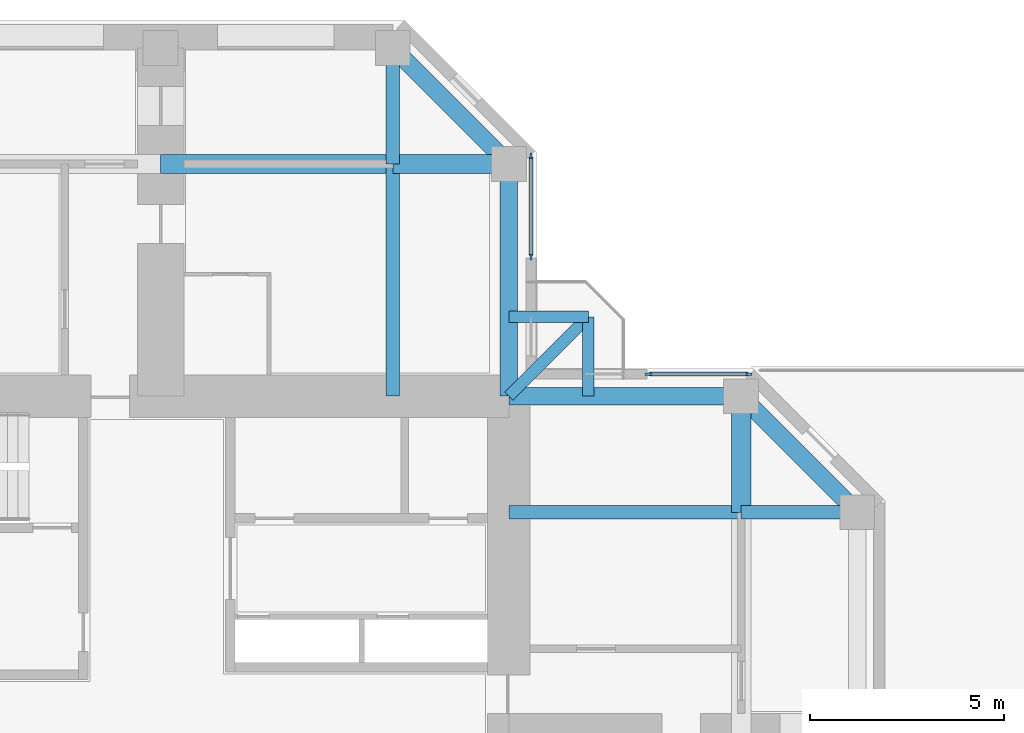
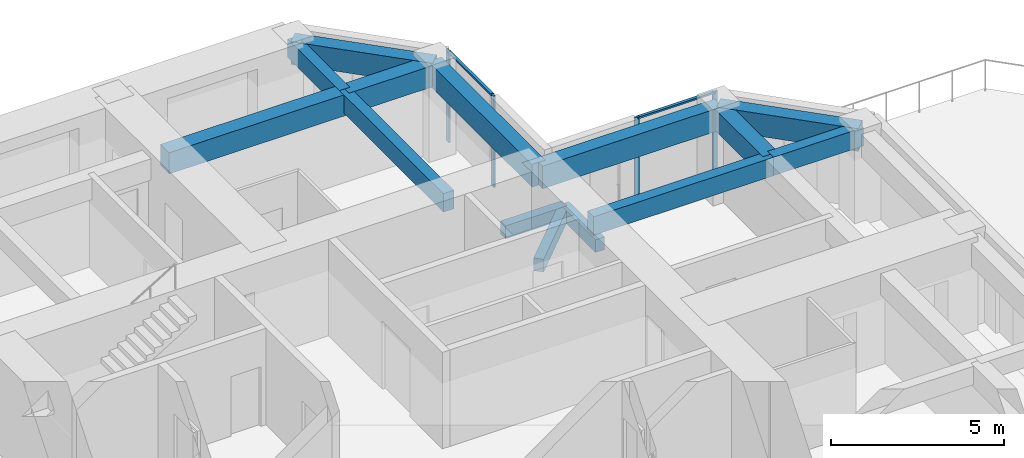
# One storey, part 6 of 14: 14 beams, 6 members, 2 elements without a shape of their own.
"""IFC4 building model written with IfcOpenShell, lengths in metres."""

from ifc_helpers import new_model, si_unit, direction, frame, origin, origin_2d, place, context, subcontext, project, spatial, rectangle, extrude, material, material_profile, profile_set, type_object, element, aggregate, save


model = new_model("IFC4")

# Units and contexts
model_context = context("Model", 3, precision=1e-05, world=origin(), true_north=direction((0.0, 1.0)))
body_context = subcontext(model_context, "Body", "Model", "MODEL_VIEW")
ifc_project = project(units=[si_unit("LENGTHUNIT", "METRE"), si_unit("AREAUNIT", "SQUARE_METRE"), si_unit("VOLUMEUNIT", "CUBIC_METRE"), si_unit("PLANEANGLEUNIT", "RADIAN"), si_unit("MASSUNIT", "GRAM", prefix="KILO")], contexts=[model_context])

# Site, building, storey
site_placement = place(None, origin())
site = spatial("IfcSite", under=ifc_project, at=site_placement, CompositionType="ELEMENT")
building_placement = place(site_placement, origin())
building = spatial("IfcBuilding", under=site, at=building_placement, Name="Torre Cruceta", CompositionType="ELEMENT")
storey_placement = place(building_placement, frame((0.0, 0.0, 169.5)))
storey = spatial("IfcBuildingStorey", under=building, at=storey_placement, Name="L41", CompositionType="ELEMENT", Elevation=169.5)

# Beams
ifc_material_1 = material(Name="Concrete G60 (fck 60 MPa)", Category="concrete")
ifc_material_profile_1 = material_profile(ifc_material_1, rectangle(XDim=0.300048828125, YDim=0.449951171875, at=origin_2d()), Name="RC 300X450")
ifc_profile_set_1 = profile_set([ifc_material_profile_1], Name="Concrete G60 (fck 60 MPa)")
beam_type_1 = type_object("IfcBeamType", Name="BALCONY CANTILEVER BEAM RC 300X450", PredefinedType="BEAM", material=ifc_profile_set_1)
beam_1_placement = place(storey_placement, frame((9.0, 9.0, -0.405029296875), z_axis=(0.707106781187, 0.707106781187, 0.0), x_axis=(-0.707106781187, 0.707106781187, 0.0)))
element("IfcBeam", 1, at=beam_1_placement, inside=storey, type_object=beam_type_1, Name="BB1 balcony beam L41 E", PredefinedType="BEAM", context=body_context, shape_type="SweptSolid", body=[
    extrude(rectangle(XDim=0.300048828125, YDim=0.449951171875, at=origin_2d()), origin(), (0.0, 0.0, 1.0), 2.89990234375),
])
for number, where, z_axis, x_axis, name in (
    (2, (11.050537109375, 9.0, -0.405029296875), (0.0, 1.0, 0.0), (-1.0, 0.0, 0.0), "BB1 balcony edge beam L41 E-X"),
    (3, (9.0, 11.050537109375, -0.405029296875), (1.0, 0.0, 0.0), (0.0, 1.0, 0.0), "BB1 balcony edge beam L41 E-Y"),
):
    element("IfcBeam", number, at=place(storey_placement, frame(where, z_axis=z_axis, x_axis=x_axis)), inside=storey, type_object=beam_type_1, Name=name, PredefinedType="BEAM", context=body_context, shape_type="SweptSolid", body=[
        extrude(rectangle(XDim=0.300048828125, YDim=0.449951171875, at=origin_2d()), origin(), (0.0, 0.0, 1.0), 2.050537109375),
    ])
ifc_material_2 = material(Name="Concrete G60 (fck 60 MPa)", Category="concrete")
ifc_material_profile_2 = material_profile(ifc_material_2, rectangle(XDim=0.35009765625, YDim=0.64990234375, at=origin_2d()), Name="RC 350X650")
ifc_profile_set_2 = profile_set([ifc_material_profile_2], Name="Concrete G60 (fck 60 MPa)")
beam_type_2 = type_object("IfcBeamType", Name="COLUMN LINE BEAM RC 350X650", PredefinedType="BEAM", material=ifc_profile_set_2)
beam_2_placement = place(storey_placement, frame((6.0, 9.0, 2.89501953125), z_axis=(0.0, 1.0, 0.0), x_axis=(-1.0, 0.0, 0.0)))
element("IfcBeam", 4, at=beam_2_placement, inside=storey, type_object=beam_type_2, Name="LB7 L41 N col- 1", PredefinedType="BEAM", context=body_context, shape_type="SweptSolid", body=[
    extrude(rectangle(XDim=0.35009765625, YDim=0.64990234375, at=origin_2d()), origin(), (0.0, 0.0, 1.0), 6.0),
])
beam_3_placement = place(storey_placement, frame((6.0, 15.0, 2.89501953125), z_axis=(0.0, 1.0, 0.0), x_axis=(-1.0, 0.0, 0.0)))
element("IfcBeam", 5, at=beam_3_placement, inside=storey, type_object=beam_type_2, Name="LB7 L41 N col- 2", PredefinedType="BEAM", context=body_context, shape_type="SweptSolid", body=[
    extrude(rectangle(XDim=0.35009765625, YDim=0.64990234375, at=origin_2d()), origin(), (0.0, 0.0, 1.0), 3.0),
])
beam_4_placement = place(storey_placement, frame((9.0, 6.0, 2.89501953125), z_axis=(1.0, 0.0, 0.0), x_axis=(0.0, 1.0, 0.0)))
element("IfcBeam", 6, at=beam_4_placement, inside=storey, type_object=beam_type_2, Name="LB7 L41 E col+ 1", PredefinedType="BEAM", context=body_context, shape_type="SweptSolid", body=[
    extrude(rectangle(XDim=0.35009765625, YDim=0.64990234375, at=origin_2d()), origin(), (0.0, 0.0, 1.0), 6.0),
])
beam_5_placement = place(storey_placement, frame((15.0, 6.0, 2.89501953125), z_axis=(1.0, 0.0, 0.0), x_axis=(0.0, 1.0, 0.0)))
element("IfcBeam", 7, at=beam_5_placement, inside=storey, type_object=beam_type_2, Name="LB7 L41 E col+ 2", PredefinedType="BEAM", context=body_context, shape_type="SweptSolid", body=[
    extrude(rectangle(XDim=0.35009765625, YDim=0.64990234375, at=origin_2d()), origin(), (0.0, 0.0, 1.0), 3.0),
])
ifc_material_3 = material(Name="Concrete G60 (fck 60 MPa)", Category="concrete")
ifc_material_profile_3 = material_profile(ifc_material_3, rectangle(XDim=0.5, YDim=0.75, at=origin_2d()), Name="RC 500X750")
ifc_profile_set_3 = profile_set([ifc_material_profile_3], Name="Concrete G60 (fck 60 MPa)")
beam_type_3 = type_object("IfcBeamType", Name="CROSS BEAM RC 500X750", PredefinedType="BEAM", material=ifc_profile_set_3)
beam_6_placement = place(storey_placement, frame((9.0, 15.0, 2.844970703125), z_axis=(-1.0, 0.0, 0.0), x_axis=(0.0, -1.0, 0.0)))
element("IfcBeam", 8, at=beam_6_placement, inside=storey, type_object=beam_type_3, Name="GB6 L41 N cross15 1", PredefinedType="BEAM", context=body_context, shape_type="SweptSolid", body=[
    extrude(rectangle(XDim=0.5, YDim=0.75, at=origin_2d()), origin(), (0.0, 0.0, 1.0), 3.0),
])
beam_7_placement = place(storey_placement, frame((6.0, 15.0, 2.844970703125), z_axis=(-1.0, 0.0, 0.0), x_axis=(0.0, -1.0, 0.0)))
element("IfcBeam", 9, at=beam_7_placement, inside=storey, type_object=beam_type_3, Name="GB6 L41 N cross15 2", PredefinedType="BEAM", context=body_context, shape_type="SweptSolid", body=[
    extrude(rectangle(XDim=0.5, YDim=0.75, at=origin_2d()), origin(), (0.0, 0.0, 1.0), 6.0),
])
beam_8_placement = place(storey_placement, frame((15.0, 6.0, 2.844970703125), z_axis=(0.0, 1.0, 0.0), x_axis=(-1.0, 0.0, 0.0)))
element("IfcBeam", 10, at=beam_8_placement, inside=storey, type_object=beam_type_3, Name="GB6 L41 E cross15 4", PredefinedType="BEAM", context=body_context, shape_type="SweptSolid", body=[
    extrude(rectangle(XDim=0.5, YDim=0.75, at=origin_2d()), origin(), (0.0, 0.0, 1.0), 3.0),
])

# Curtain wall, members
ifc_material_4 = material(Name="Aluminium unitised curtain wall", Category="aluminium")
curtain_wall_type = type_object("IfcCurtainWallType", Name="CURTAIN WALL CW-C CO-LIVING", PredefinedType="USERDEFINED", material=ifc_material_4)
curtain_wall_1_placement = place(storey_placement, origin())
curtain_wall_1 = element("IfcCurtainWall", 11, at=curtain_wall_1_placement, inside=storey, type_object=curtain_wall_type, Name="CW-C L41 E side 04", ObjectType="UNITISED", PredefinedType="USERDEFINED")
ifc_material_5 = material(Name="Aluminium mullion", Category="aluminium")
ifc_material_profile_4 = material_profile(ifc_material_5, rectangle(XDim=0.06005859375, YDim=0.159912109375, at=origin_2d()), Name="AL 60X160")
ifc_profile_set_4 = profile_set([ifc_material_profile_4], Name="Aluminium mullion")
member_type_1 = type_object("IfcMemberType", Name="CW-C MULLION 60X160", PredefinedType="MULLION", material=ifc_profile_set_4)
member_1_placement = place(storey_placement, frame((15.2060546875, 9.570068359375, 0.0), z_axis=(0.0, 0.0, 1.0), x_axis=(0.0, -1.0, 0.0)))
member_1 = element("IfcMember", 12, at=member_1_placement, type_object=member_type_1, Name="CW-C mullion 1", PredefinedType="MULLION", context=body_context, shape_type="SweptSolid", body=[
    extrude(rectangle(XDim=0.06005859375, YDim=0.159912109375, at=origin_2d()), origin(), (0.0, 0.0, 1.0), 3.219970703125),
])
member_2_placement = place(storey_placement, frame((12.60009765625, 9.570068359375, 0.0), z_axis=(0.0, 0.0, 1.0), x_axis=(0.0, -1.0, 0.0)))
member_2 = element("IfcMember", 13, at=member_2_placement, type_object=member_type_1, Name="CW-C mullion 2", PredefinedType="MULLION", context=body_context, shape_type="SweptSolid", body=[
    extrude(rectangle(XDim=0.06005859375, YDim=0.159912109375, at=origin_2d()), origin(), (0.0, 0.0, 1.0), 3.219970703125),
])

curtain_wall_2_placement = place(storey_placement, origin())
curtain_wall_2 = element("IfcCurtainWall", 14, at=curtain_wall_2_placement, inside=storey, type_object=curtain_wall_type, Name="CW-C L41 N side 05", ObjectType="UNITISED", PredefinedType="USERDEFINED")
member_3_placement = place(storey_placement, frame((9.570068359375, 12.60009765625, 0.0), z_axis=(0.0, 0.0, 1.0), x_axis=(-1.0, 0.0, 0.0)))
member_3 = element("IfcMember", 15, at=member_3_placement, type_object=member_type_1, Name="CW-C mullion 1", PredefinedType="MULLION", context=body_context, shape_type="SweptSolid", body=[
    extrude(rectangle(XDim=0.06005859375, YDim=0.159912109375, at=origin_2d()), origin(), (0.0, 0.0, 1.0), 3.219970703125),
])
member_4_placement = place(storey_placement, frame((9.570068359375, 15.2060546875, 0.0), z_axis=(0.0, 0.0, 1.0), x_axis=(-1.0, 0.0, 0.0)))
member_4 = element("IfcMember", 16, at=member_4_placement, type_object=member_type_1, Name="CW-C mullion 2", PredefinedType="MULLION", context=body_context, shape_type="SweptSolid", body=[
    extrude(rectangle(XDim=0.06005859375, YDim=0.159912109375, at=origin_2d()), origin(), (0.0, 0.0, 1.0), 3.219970703125),
])

# Member
ifc_material_6 = material(Name="Aluminium transom", Category="aluminium")
ifc_material_profile_5 = material_profile(ifc_material_6, rectangle(XDim=0.10009765625, YDim=0.06005859375, at=origin_2d()), Name="AL 100X60")
ifc_profile_set_5 = profile_set([ifc_material_profile_5], Name="Aluminium transom")
member_type_2 = type_object("IfcMemberType", Name="CW-C TRANSOM 60X100", PredefinedType="USERDEFINED", material=ifc_profile_set_5)
member_5_placement = place(storey_placement, frame((15.176025390625, 9.570068359375, 3.18994140625), z_axis=(-1.0, 0.0, 0.0), x_axis=(0.0, -1.0, 0.0)))
member_5 = element("IfcMember", 17, at=member_5_placement, type_object=member_type_2, Name="CW-C transom 1", ObjectType="TRANSOM", PredefinedType="USERDEFINED", context=body_context, shape_type="SweptSolid", body=[
    extrude(rectangle(XDim=0.10009765625, YDim=0.06005859375, at=origin_2d()), origin(), (0.0, 0.0, 1.0), 2.546142578125),
])

aggregate(curtain_wall_1, [member_1, member_2, member_5])

member_6_placement = place(storey_placement, frame((9.570068359375, 12.6298828125, 3.18994140625), z_axis=(0.0, 1.0, 0.0), x_axis=(-1.0, 0.0, 0.0)))
member_6 = element("IfcMember", 18, at=member_6_placement, type_object=member_type_2, Name="CW-C transom 1", ObjectType="TRANSOM", PredefinedType="USERDEFINED", context=body_context, shape_type="SweptSolid", body=[
    extrude(rectangle(XDim=0.10009765625, YDim=0.06005859375, at=origin_2d()), origin(), (0.0, 0.0, 1.0), 2.546142578125),
])

aggregate(curtain_wall_2, [member_3, member_4, member_6])

# Beams
ifc_material_7 = material(Name="Concrete G60 (fck 60 MPa)", Category="concrete")
ifc_material_profile_6 = material_profile(ifc_material_7, rectangle(XDim=0.449951171875, YDim=0.800048828125, at=origin_2d()), Name="RC 450X800")
ifc_profile_set_6 = profile_set([ifc_material_profile_6], Name="Concrete G60 (fck 60 MPa)")
beam_type_4 = type_object("IfcBeamType", Name="SPANDREL BEAM RC 450X800", PredefinedType="SPANDREL", material=ifc_profile_set_6)
beam_9_placement = place(storey_placement, frame((9.0, 9.0, 2.820068359375), z_axis=(0.0, 1.0, 0.0), x_axis=(-1.0, 0.0, 0.0)))
element("IfcBeam", 19, at=beam_9_placement, inside=storey, type_object=beam_type_4, Name="SB6 L41 N side- 1", PredefinedType="SPANDREL", context=body_context, shape_type="SweptSolid", body=[
    extrude(rectangle(XDim=0.449951171875, YDim=0.800048828125, at=origin_2d()), origin(), (0.0, 0.0, 1.0), 6.0),
])
beam_10_placement = place(storey_placement, frame((9.0, 15.0, 2.820068359375), z_axis=(-0.707106781187, 0.707106781187, 0.0), x_axis=(-0.707106781187, -0.707106781187, 0.0)))
element("IfcBeam", 20, at=beam_10_placement, inside=storey, type_object=beam_type_4, Name="SB6 L41 N side- 2", PredefinedType="SPANDREL", context=body_context, shape_type="SweptSolid", body=[
    extrude(rectangle(XDim=0.449951171875, YDim=0.800048828125, at=origin_2d()), origin(), (0.0, 0.0, 1.0), 4.24267578125),
])
beam_11_placement = place(storey_placement, frame((9.0, 9.0, 2.820068359375), z_axis=(1.0, 0.0, 0.0), x_axis=(0.0, 1.0, 0.0)))
element("IfcBeam", 21, at=beam_11_placement, inside=storey, type_object=beam_type_4, Name="SB6 L41 E side+ 1", PredefinedType="SPANDREL", context=body_context, shape_type="SweptSolid", body=[
    extrude(rectangle(XDim=0.449951171875, YDim=0.800048828125, at=origin_2d()), origin(), (0.0, 0.0, 1.0), 6.0),
])
beam_12_placement = place(storey_placement, frame((15.0, 9.0, 2.820068359375), z_axis=(0.707106781187, -0.707106781187, 0.0), x_axis=(0.707106781187, 0.707106781187, 0.0)))
element("IfcBeam", 22, at=beam_12_placement, inside=storey, type_object=beam_type_4, Name="SB6 L41 E side+ 2", PredefinedType="SPANDREL", context=body_context, shape_type="SweptSolid", body=[
    extrude(rectangle(XDim=0.449951171875, YDim=0.800048828125, at=origin_2d()), origin(), (0.0, 0.0, 1.0), 4.24267578125),
])

save(model, "model.ifc")
